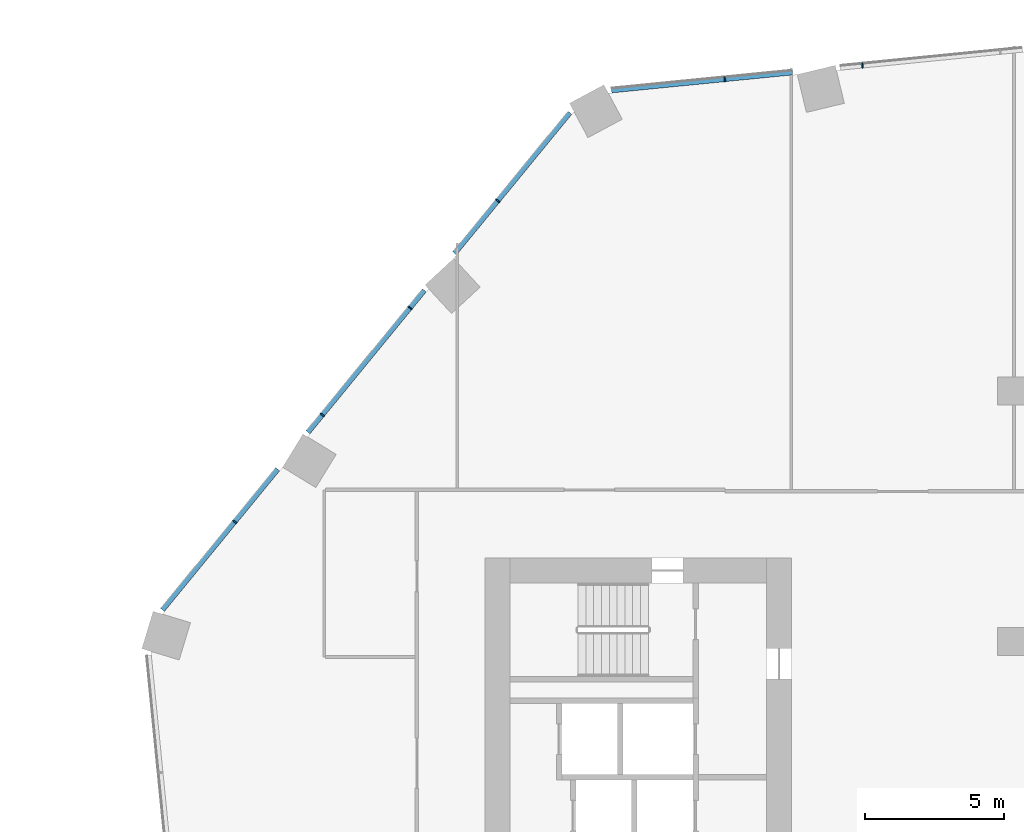
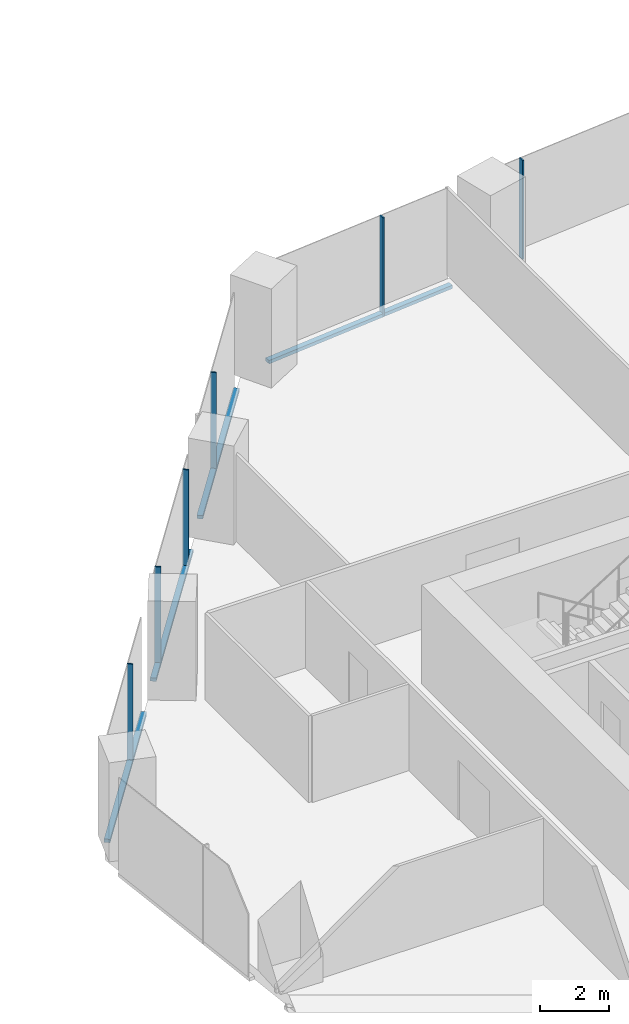
# One storey, part 12 of 34: 10 members, 2 elements without a shape of their own.
"""IFC4 building model written with IfcOpenShell, lengths in metres."""

from ifc_helpers import new_model, si_unit, direction, frame, origin, origin_2d, place, context, subcontext, project, spatial, rectangle, extrude, material, material_profile, profile_set, type_object, element, aggregate, save


model = new_model("IFC4")

# Units and contexts
model_context = context("Model", 3, precision=1e-05, world=origin(), true_north=direction((0.0, 1.0)))
body_context = subcontext(model_context, "Body", "Model", "MODEL_VIEW")
ifc_project = project(units=[si_unit("LENGTHUNIT", "METRE"), si_unit("AREAUNIT", "SQUARE_METRE"), si_unit("VOLUMEUNIT", "CUBIC_METRE"), si_unit("PLANEANGLEUNIT", "RADIAN"), si_unit("MASSUNIT", "GRAM", prefix="KILO")], contexts=[model_context])

# Site, building, storey
site_placement = place(None, origin())
site = spatial("IfcSite", under=ifc_project, at=site_placement, CompositionType="ELEMENT")
building_placement = place(site_placement, origin())
building = spatial("IfcBuilding", under=site, at=building_placement, Name="Orlundy Tower", CompositionType="ELEMENT")
storey_placement = place(building_placement, frame((0.0, 0.0, 44.300048828125)))
storey = spatial("IfcBuildingStorey", under=building, at=storey_placement, Name="L09", CompositionType="ELEMENT", Elevation=44.300048828125)

# Curtain wall, members
ifc_material_1 = material(Name="Aluminium bronze anodised", Category="aluminium")
curtain_wall_type = type_object("IfcCurtainWallType", Name="CW1 wall", PredefinedType="NOTDEFINED", material=ifc_material_1)
curtain_wall_1_placement = place(storey_placement, origin())
curtain_wall_1 = element("IfcCurtainWall", 1, at=curtain_wall_1_placement, inside=storey, type_object=curtain_wall_type, Name="CW1 run 02", PredefinedType="NOTDEFINED")
ifc_material_2 = material(Name="Aluminium bronze anodised", Category="aluminium")
ifc_material_profile_1 = material_profile(ifc_material_2, rectangle(XDim=0.179931640625, YDim=0.050048828125, at=origin_2d()), Name="CW1 mullion 50x180")
ifc_profile_set_1 = profile_set([ifc_material_profile_1], Name="Aluminium bronze anodised")
member_type_1 = type_object("IfcMemberType", Name="CW1 mullion 50x180", PredefinedType="MULLION", material=ifc_profile_set_1)
member_1_placement = place(storey_placement, frame((-27.999267578125, 13.3046875, -0.420166015625), z_axis=(0.0, 0.0, 1.0), x_axis=(-0.773482002143, 0.633818264458, 0.0)))
member_1 = element("IfcMember", 2, at=member_1_placement, type_object=member_type_1, Name="CW1 mullion 10", PredefinedType="MULLION", context=body_context, shape_type="SweptSolid", body=[
    extrude(rectangle(XDim=0.179931640625, YDim=0.050048828125, at=origin_2d()), origin(), (0.0, 0.0, 1.0), 3.5),
])
member_2_placement = place(storey_placement, frame((-24.848876953125, 17.149169921875, -0.420166015625), z_axis=(0.0, 0.0, 1.0), x_axis=(-0.773482002143, 0.633818264458, 0.0)))
member_2 = element("IfcMember", 3, at=member_2_placement, type_object=member_type_1, Name="CW1 mullion 11", PredefinedType="MULLION", context=body_context, shape_type="SweptSolid", body=[
    extrude(rectangle(XDim=0.179931640625, YDim=0.050048828125, at=origin_2d()), origin(), (0.0, 0.0, 1.0), 3.5),
])
member_3_placement = place(storey_placement, frame((-21.698486328125, 20.993896484375, -0.420166015625), z_axis=(0.0, 0.0, 1.0), x_axis=(-0.773482002143, 0.633818264458, 0.0)))
member_3 = element("IfcMember", 4, at=member_3_placement, type_object=member_type_1, Name="CW1 mullion 12", PredefinedType="MULLION", context=body_context, shape_type="SweptSolid", body=[
    extrude(rectangle(XDim=0.179931640625, YDim=0.050048828125, at=origin_2d()), origin(), (0.0, 0.0, 1.0), 3.5),
])
member_4_placement = place(storey_placement, frame((-18.548095703125, 24.83837890625, -0.420166015625), z_axis=(0.0, 0.0, 1.0), x_axis=(-0.773482002143, 0.633818264458, 0.0)))
member_4 = element("IfcMember", 5, at=member_4_placement, type_object=member_type_1, Name="CW1 mullion 13", PredefinedType="MULLION", context=body_context, shape_type="SweptSolid", body=[
    extrude(rectangle(XDim=0.179931640625, YDim=0.050048828125, at=origin_2d()), origin(), (0.0, 0.0, 1.0), 3.5),
])

curtain_wall_2_placement = place(storey_placement, origin())
curtain_wall_2 = element("IfcCurtainWall", 6, at=curtain_wall_2_placement, inside=storey, type_object=curtain_wall_type, Name="CW1 run 03", PredefinedType="NOTDEFINED")
member_5_placement = place(storey_placement, frame((-10.390625, 29.206298828125, -0.420166015625), z_axis=(0.0, 0.0, 1.0), x_axis=(-0.098742763424, 0.995112991912, 0.0)))
member_5 = element("IfcMember", 7, at=member_5_placement, type_object=member_type_1, Name="CW1 mullion 15", PredefinedType="MULLION", context=body_context, shape_type="SweptSolid", body=[
    extrude(rectangle(XDim=0.179931640625, YDim=0.050048828125, at=origin_2d()), origin(), (0.0, 0.0, 1.0), 3.5),
])
member_6_placement = place(storey_placement, frame((-5.444580078125, 29.697265625, -0.420166015625), z_axis=(0.0, 0.0, 1.0), x_axis=(-0.098742763424, 0.995112991912, 0.0)))
member_6 = element("IfcMember", 8, at=member_6_placement, type_object=member_type_1, Name="CW1 mullion 16", PredefinedType="MULLION", context=body_context, shape_type="SweptSolid", body=[
    extrude(rectangle(XDim=0.179931640625, YDim=0.050048828125, at=origin_2d()), origin(), (0.0, 0.0, 1.0), 3.5),
])

# Member
ifc_material_3 = material(Name="Aluminium bronze anodised", Category="aluminium")
ifc_material_profile_2 = material_profile(ifc_material_3, rectangle(XDim=0.179931640625, YDim=0.1201171875, at=origin_2d()), Name="CW1 transom 180x120")
ifc_profile_set_2 = profile_set([ifc_material_profile_2], Name="Aluminium bronze anodised")
member_type_2 = type_object("IfcMemberType", Name="CW1 transom 180x120", PredefinedType="USERDEFINED", material=ifc_profile_set_2)
member_7_placement = place(storey_placement, frame((-30.590087890625, 10.142822265625, -0.360107421875), z_axis=(0.633823853358, 0.773477422369, 0.0), x_axis=(-0.773477422369, 0.633823853358, 0.0)))
member_7 = element("IfcMember", 9, at=member_7_placement, type_object=member_type_2, Name="CW1 transom", ObjectType="TRANSOM", PredefinedType="USERDEFINED", context=body_context, shape_type="SweptSolid", body=[
    extrude(rectangle(XDim=0.179931640625, YDim=0.1201171875, at=origin_2d()), origin(), (0.0, 0.0, 1.0), 6.53125),
])

member_8_placement = place(storey_placement, frame((-25.36279296875, 16.52197265625, -0.360107421875), z_axis=(0.633828457298, 0.77347364966, 0.0), x_axis=(-0.77347364966, 0.633828457298, 0.0)))
member_8 = element("IfcMember", 10, at=member_8_placement, type_object=member_type_2, Name="CW1 transom", ObjectType="TRANSOM", PredefinedType="USERDEFINED", context=body_context, shape_type="SweptSolid", body=[
    extrude(rectangle(XDim=0.179931640625, YDim=0.1201171875, at=origin_2d()), origin(), (0.0, 0.0, 1.0), 6.5927734375),
])

member_9_placement = place(storey_placement, frame((-20.096435546875, 22.94873046875, -0.360107421875), z_axis=(0.633805527975, 0.773492438688, 0.0), x_axis=(-0.773492438688, 0.633805527975, 0.0)))
member_9 = element("IfcMember", 11, at=member_9_placement, type_object=member_type_2, Name="CW1 transom", ObjectType="TRANSOM", PredefinedType="USERDEFINED", context=body_context, shape_type="SweptSolid", body=[
    extrude(rectangle(XDim=0.179931640625, YDim=0.1201171875, at=origin_2d()), origin(), (0.0, 0.0, 1.0), 6.531494140625),
])

aggregate(curtain_wall_1, [member_1, member_2, member_3, member_4, member_7, member_8, member_9])

member_10_placement = place(storey_placement, frame((-14.457763671875, 28.802734375, -0.360107421875), z_axis=(0.995111303398, 0.098759778505, 0.0), x_axis=(-0.098759778505, 0.995111303398, 0.0)))
member_10 = element("IfcMember", 12, at=member_10_placement, type_object=member_type_2, Name="CW1 transom", ObjectType="TRANSOM", PredefinedType="USERDEFINED", context=body_context, shape_type="SweptSolid", body=[
    extrude(rectangle(XDim=0.179931640625, YDim=0.1201171875, at=origin_2d()), origin(), (0.0, 0.0, 1.0), 6.53125),
])

aggregate(curtain_wall_2, [member_5, member_6, member_10])

save(model, "model.ifc")
